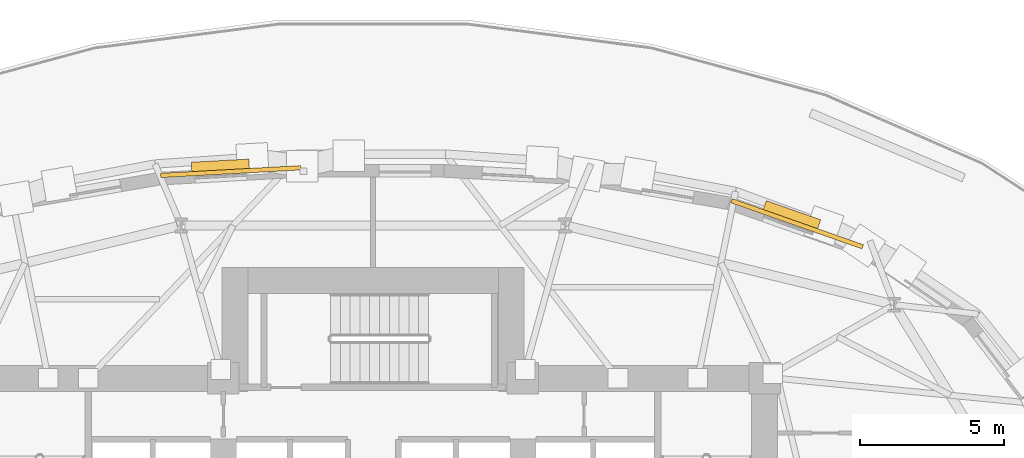
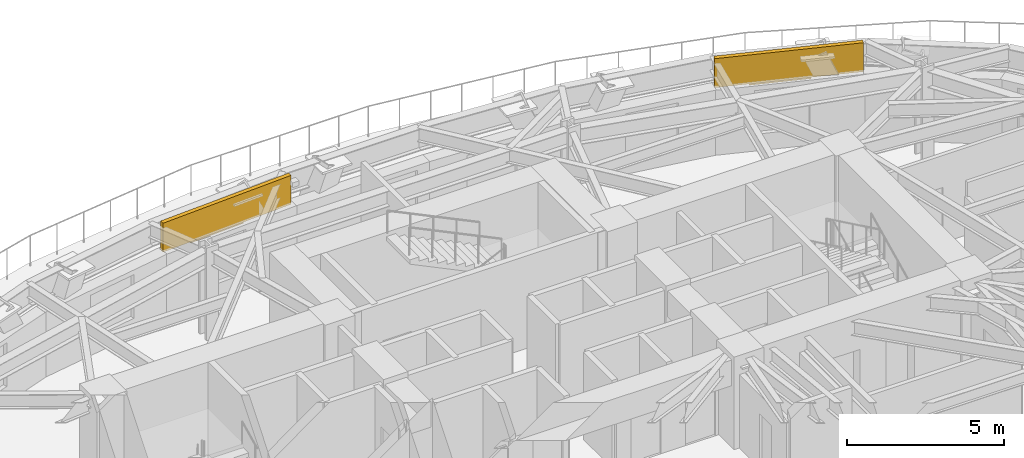
# One storey, part 14 of 14: 2 coverings, 2 shading devices.
"""IFC4 building model written with IfcOpenShell, lengths in metres."""

from ifc_helpers import new_model, si_unit, direction, frame, origin, origin_2d, place, context, subcontext, project, spatial, rectangle, extrude, material, layer, layer_set, type_object, element, save


model = new_model("IFC4")

# Units and contexts
model_context = context("Model", 3, precision=1e-05, world=origin(), true_north=direction((0.0, 1.0)))
body_context = subcontext(model_context, "Body", "Model", "MODEL_VIEW")
ifc_project = project(units=[si_unit("LENGTHUNIT", "METRE"), si_unit("AREAUNIT", "SQUARE_METRE"), si_unit("VOLUMEUNIT", "CUBIC_METRE"), si_unit("PLANEANGLEUNIT", "RADIAN"), si_unit("MASSUNIT", "GRAM", prefix="KILO")], contexts=[model_context])

# Site, building, storey
site_placement = place(None, origin())
site = spatial("IfcSite", under=ifc_project, at=site_placement, CompositionType="ELEMENT")
building_placement = place(site_placement, origin())
building = spatial("IfcBuilding", under=site, at=building_placement, Name="Keldmark Tower", CompositionType="ELEMENT")
storey_placement = place(building_placement, frame((0.0, 0.0, 27.0)))
storey = spatial("IfcBuildingStorey", under=building, at=storey_placement, Name="L06", CompositionType="ELEMENT", Elevation=27.0)

# Shading devices
ifc_material_1 = material(Name="Kasota Buff Limestone Bullnose and Bronze Anodized Aluminum", Category="masonry")
ifc_layer_1 = layer(ifc_material_1, 0.080078125)
ifc_layer_set_1 = layer_set([ifc_layer_1], Name="Kasota Buff Limestone Bullnose and Bronze Anodized Aluminum")
shading_device_type = type_object("IfcShadingDeviceType", Name="Deep-Set Punched Window Stone-and-Metal Sunshade", PredefinedType="AWNING", material=ifc_layer_set_1)
for number, where, z_axis, x_axis, name in (
    (1, (14.531005859375, 15.0888671875, 2.35986328125), (0.0, 0.0, 1.0), (0.943361710524, -0.331766006572, 0.0), "L06 Kasota Stone Window Sunshade 05"),
    (2, (-5.300537109375, 16.7998046875, 2.35986328125), (0.0, 0.0, 1.0), (0.998502494505, 0.054706201362, 0.0), "L06 Kasota Stone Window Sunshade 09"),
):
    element("IfcShadingDevice", number, at=place(storey_placement, frame(where, z_axis=z_axis, x_axis=x_axis)), inside=storey, type_object=shading_device_type, Name=name, PredefinedType="AWNING", context=body_context, shape_type="SweptSolid", body=[
        extrude(rectangle(XDim=2.0, YDim=0.419921875, at=origin_2d()), origin(), (0.0, 0.0, 1.0), 0.080078125),
    ])

# Coverings
ifc_material_2 = material(Name="Honed Kasota Buff Dolomitic Limestone", Category="masonry")
ifc_layer_2 = layer(ifc_material_2, 0.074951171875)
ifc_layer_set_2 = layer_set([ifc_layer_2], Name="Honed Kasota Buff Dolomitic Limestone")
covering_type = type_object("IfcCoveringType", Name="Kasota Buff Limestone Spandrel Cladding Band", PredefinedType="CLADDING", material=ifc_layer_set_2)
covering_1_placement = place(storey_placement, frame((14.72705078125, 14.818359375, 2.453125), z_axis=(0.0, 0.0, 1.0), x_axis=(-0.943361710524, 0.331766006572, 0.0)))
element("IfcCovering", 3, at=covering_1_placement, inside=storey, type_object=covering_type, Name="L06 Kasota Limestone Spandrel Band 05", PredefinedType="CLADDING", context=body_context, shape_type="SweptSolid", body=[
    extrude(rectangle(XDim=4.825927734375, YDim=0.14990234375, at=origin_2d()), origin(), (0.0, 0.0, 1.0), 1.126953125),
])
covering_2_placement = place(storey_placement, frame((-4.941650390625, 16.629150390625, 2.453125), z_axis=(0.0, 0.0, 1.0), x_axis=(-0.998502494505, -0.054706201362, 0.0)))
element("IfcCovering", 4, at=covering_2_placement, inside=storey, type_object=covering_type, Name="L06 Kasota Limestone Spandrel Band 09", PredefinedType="CLADDING", context=body_context, shape_type="SweptSolid", body=[
    extrude(rectangle(XDim=4.8720703125, YDim=0.14990234375, at=origin_2d()), origin(), (0.0, 0.0, 1.0), 1.126953125),
])

save(model, "model.ifc")
